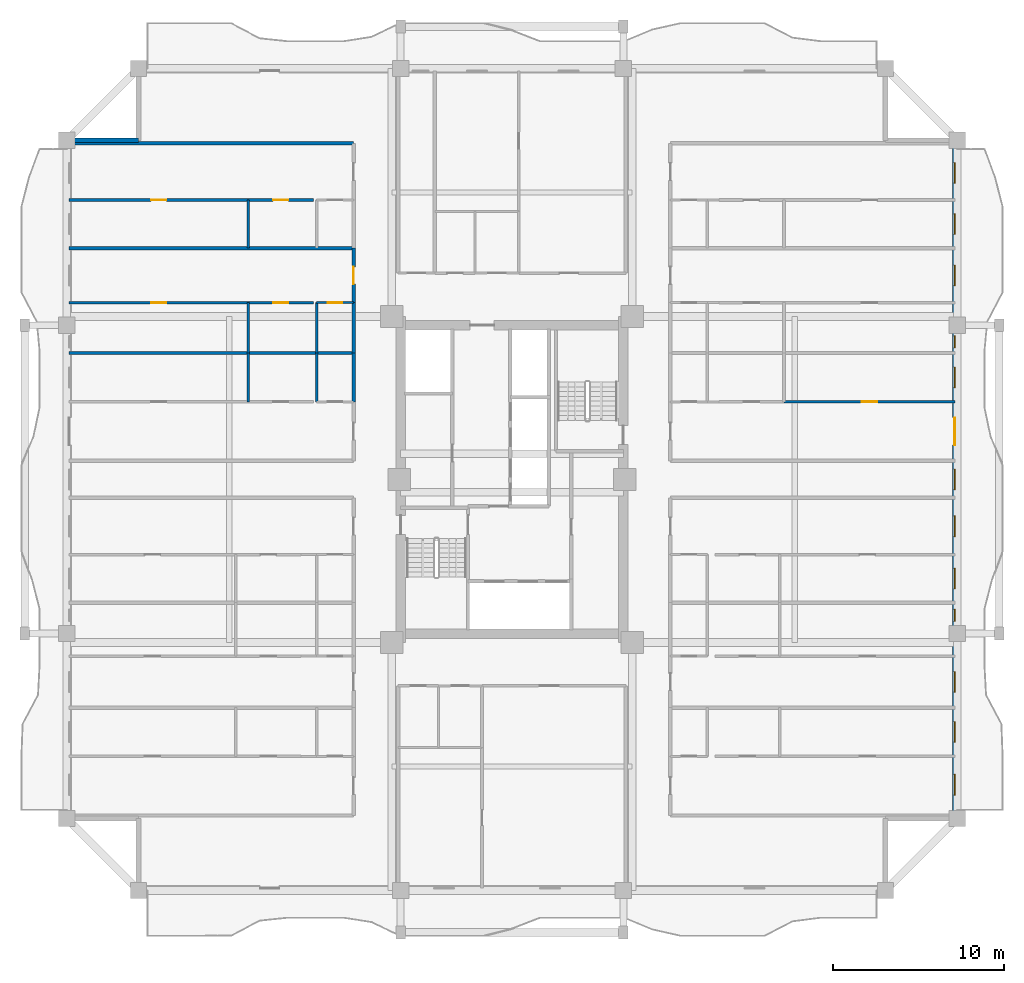
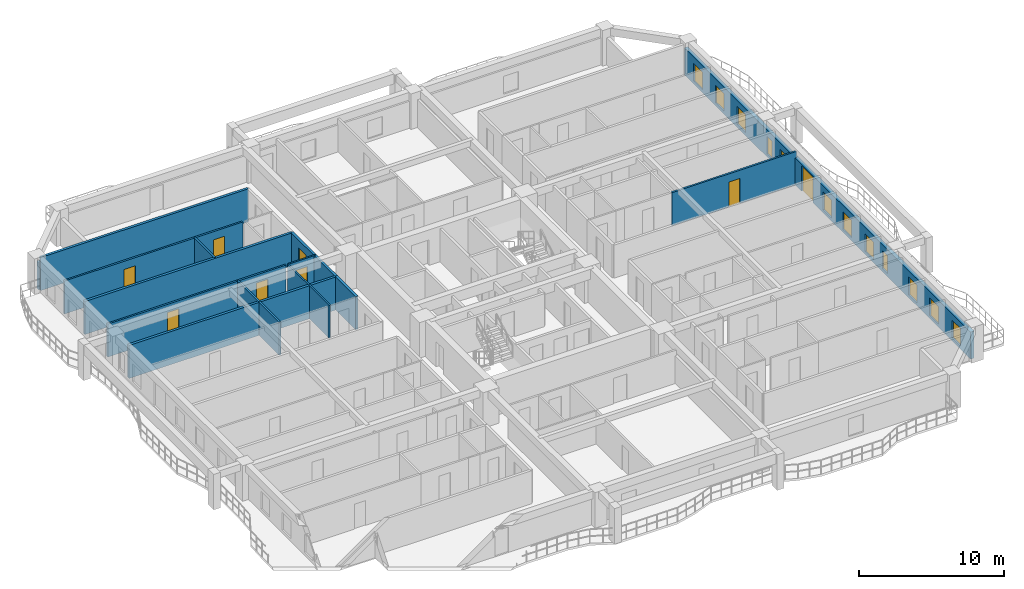
# One storey, part 6 of 13: 19 walls, 12 windows, 8 doors, 20 openings.
"""IFC4 building model written with IfcOpenShell, lengths in metres."""

import ifcopenshell
import ifcopenshell.guid

model = None  # the IFC model being written
_history = None  # IfcOwnerHistory: only IFC2X3 demands one
_inside = {}  # id of a spatial element -> (the spatial element, [elements in it])
_under = {}  # id of a project, library or spatial element -> (it, [spatial elements below it])
_declared = {}  # id of a project -> (the project, [libraries it declares])
_typed = {}  # id of a type object -> (the type object, [elements of that type])
_made_of = {}  # id of a material, layer set ... -> (it, [elements and type objects made of it])


def new_model(schema):
    """Start an empty IFC model of exactly this schema.

    Asked for "IFC4X3", IfcOpenShell would pick the latest addendum, in which some entities
    have other attributes; the version numbers below select the first issue.
    IFC2X3 requires an IfcOwnerHistory on every rooted entity: one is made here for all.
    """
    global model, _history
    if schema == "IFC4X3":
        model = ifcopenshell.file(schema_version=(4, 3, 0, 0))
    else:
        model = ifcopenshell.file(schema=schema)
    _inside.clear()
    _under.clear()
    _declared.clear()
    _typed.clear()
    _made_of.clear()
    _history = None
    if model.schema == "IFC2X3":
        org = make("IfcOrganization", Name="unknown")
        user = make(
            "IfcPersonAndOrganization",
            ThePerson=make("IfcPerson", FamilyName="unknown"),
            TheOrganization=org,
        )
        app = make(
            "IfcApplication",
            ApplicationDeveloper=org,
            Version="unknown",
            ApplicationFullName="unknown",
            ApplicationIdentifier="unknown",
        )
        _history = make(
            "IfcOwnerHistory",
            OwningUser=user,
            OwningApplication=app,
            ChangeAction="ADDED",
            CreationDate=0,
        )
    return model


def make(cls, **values):
    """One entity of the class cls with the attributes given. An attribute that is None is left unset."""
    return model.create_entity(
        cls, **{name: value for name, value in values.items() if value is not None}
    )


def rooted(cls, **values):
    """An entity with a GlobalId (a new one), such as an element, a storey or a relation."""
    return make(cls, GlobalId=ifcopenshell.guid.new(), OwnerHistory=_history, **values)


def si_unit(unit_type, name, prefix=None):
    """IfcSIUnit, for example si_unit("LENGTHUNIT", "METRE", prefix="MILLI")."""
    return make("IfcSIUnit", UnitType=unit_type, Prefix=prefix, Name=name)


def assignment(units):
    """IfcUnitAssignment: the units of a project."""
    return None if units is None else make("IfcUnitAssignment", Units=units)


def point(xyz):
    """IfcCartesianPoint."""
    return None if xyz is None else make("IfcCartesianPoint", Coordinates=xyz)


def direction(xyz):
    """IfcDirection."""
    return None if xyz is None else make("IfcDirection", DirectionRatios=xyz)


def frame(location, z_axis=None, x_axis=None):
    """IfcAxis2Placement3D, a coordinate frame: its origin and axes. An axis left out is left unset."""
    return make(
        "IfcAxis2Placement3D",
        Location=point(location),
        Axis=direction(z_axis),
        RefDirection=direction(x_axis),
    )


def frame_2d(location, x_axis=None):
    """IfcAxis2Placement2D, a coordinate frame in the plane: its origin and x axis."""
    return make(
        "IfcAxis2Placement2D", Location=point(location), RefDirection=direction(x_axis)
    )


def origin():
    """The frame at (0, 0, 0) with its axes left unset."""
    return frame((0.0, 0.0, 0.0))


def place(relative_to, where):
    """IfcLocalPlacement: puts the frame where relative to a parent placement (None: the world)."""
    return make(
        "IfcLocalPlacement", PlacementRelTo=relative_to, RelativePlacement=where
    )


def context(
    kind, dimensions, precision=None, world=None, true_north=None, identifier=None
):
    """IfcGeometricRepresentationContext, for example the 3D "Model" context."""
    return make(
        "IfcGeometricRepresentationContext",
        ContextIdentifier=identifier,
        ContextType=kind,
        CoordinateSpaceDimension=dimensions,
        Precision=precision,
        WorldCoordinateSystem=world,
        TrueNorth=true_north,
    )


def subcontext(parent, identifier, kind, view, scale=None):
    """IfcGeometricRepresentationSubContext, for example "Body" below "Model"."""
    return make(
        "IfcGeometricRepresentationSubContext",
        ContextIdentifier=identifier,
        ContextType=kind,
        ParentContext=parent,
        TargetScale=scale,
        TargetView=view,
    )


def project(units=None, contexts=None):
    """IfcProject with its units and contexts."""
    return rooted(
        "IfcProject",
        Name="project",
        RepresentationContexts=contexts,
        UnitsInContext=assignment(units),
    )


def spatial(cls, under=None, at=None, **own):
    """A site, building, storey or space (cls), placed at a placement, below another one or the project."""
    s = rooted(cls, ObjectPlacement=at, **own)
    if under is not None:
        _under.setdefault(under.id(), (under, []))[1].append(s)
    return s


def profile(cls, at=None, kind="AREA", **sizes):
    """A parametric profile (cls). Its sizes go by their IFC names, for example OverallWidth=200.0."""
    return make(cls, ProfileType=kind, Position=at, **sizes)


def rectangle(**sizes):
    """IfcRectangleProfileDef."""
    return profile("IfcRectangleProfileDef", **sizes)


def extrude(swept, where, along, depth):
    """IfcExtrudedAreaSolid: the profile swept, set in the frame where, extruded along a direction by depth."""
    return make(
        "IfcExtrudedAreaSolid",
        SweptArea=swept,
        Position=where,
        ExtrudedDirection=direction(along),
        Depth=depth,
    )


def shape(context_of_items, identifier, shape_type, items):
    """IfcShapeRepresentation: the items that make up one representation, for example the "Body"."""
    return make(
        "IfcShapeRepresentation",
        ContextOfItems=context_of_items,
        RepresentationIdentifier=identifier,
        RepresentationType=shape_type,
        Items=items,
    )


def source(mapping_origin, context_of_items, identifier, shape_type, items):
    """IfcRepresentationMap: a shape defined once, which mapped items show again and again."""
    return make(
        "IfcRepresentationMap",
        MappingOrigin=mapping_origin,
        MappedRepresentation=shape(context_of_items, identifier, shape_type, items),
    )


def transform(
    local_origin,
    x_axis=None,
    y_axis=None,
    z_axis=None,
    scale=None,
    scale2=None,
    scale3=None,
    uniform=True,
):
    """IfcCartesianTransformationOperator3D, or its non-uniform kind. x_axis, y_axis, z_axis: its Axis1, 2, 3."""
    if uniform:
        return make(
            "IfcCartesianTransformationOperator3D",
            Axis1=direction(x_axis),
            Axis2=direction(y_axis),
            LocalOrigin=point(local_origin),
            Scale=scale,
            Axis3=direction(z_axis),
        )
    return make(
        "IfcCartesianTransformationOperator3DnonUniform",
        Axis1=direction(x_axis),
        Axis2=direction(y_axis),
        LocalOrigin=point(local_origin),
        Scale=scale,
        Axis3=direction(z_axis),
        Scale2=scale2,
        Scale3=scale3,
    )


def mapped(mapping_source, mapping_target):
    """IfcMappedItem: shows the shape of a source again, moved by a transform."""
    return make(
        "IfcMappedItem", MappingSource=mapping_source, MappingTarget=mapping_target
    )


def material(Name=None, Category=None):
    """IfcMaterial."""
    return make("IfcMaterial", Name=Name, Category=Category)


def layer(
    of_material, thickness, ventilated=None, Name=None, Category=None, Priority=None
):
    """IfcMaterialLayer: one layer of a wall or slab, of a material (None: an air gap)."""
    return make(
        "IfcMaterialLayer",
        Material=of_material,
        LayerThickness=thickness,
        IsVentilated=ventilated,
        Name=Name,
        Category=Category,
        Priority=Priority,
    )


def layer_set(layers, Name=None):
    """IfcMaterialLayerSet."""
    return make("IfcMaterialLayerSet", MaterialLayers=layers, LayerSetName=Name)


def made_of(thing, what):
    """Note that an element or type object is made of a material, layer set ...; save() writes the relation."""
    if what is not None:
        _made_of.setdefault(what.id(), (what, []))[1].append(thing)
    return thing


def type_object(cls, material=None, **own):
    """A type object (cls), such as IfcWallType, which elements share."""
    return made_of(rooted(cls, **own), material)


def element(
    cls,
    number,
    at=None,
    inside=None,
    cuts=None,
    type_object=None,
    material=None,
    context=None,
    identifier="Body",
    shape_type=None,
    held_by="IfcProductDefinitionShape",
    body=None,
    shapes=None,
    **own,
):
    """One element of the class cls, such as IfcWall. Its Tag is "e" and its number.

    at: its placement. inside: the storey or other place that contains it. cuts: it is an
    opening in that element (IfcRelVoidsElement). A single representation is given by context,
    identifier, shape_type and body (its items); several are given by shapes. held_by: the class
    of the entity that holds the representations. save() writes the other relations.
    """
    e = rooted(cls, Tag="e%d" % number, ObjectPlacement=at, **own)
    if body is not None:
        shapes = [shape(context, identifier, shape_type, body)]
    if shapes is not None:
        e.Representation = make(held_by, Representations=shapes)
    if inside is not None:
        _inside.setdefault(inside.id(), (inside, []))[1].append(e)
    if cuts is not None:
        rooted(
            "IfcRelVoidsElement", RelatingBuildingElement=cuts, RelatedOpeningElement=e
        )
    if type_object is not None:
        _typed.setdefault(type_object.id(), (type_object, []))[1].append(e)
    return made_of(e, material)


def fill(opening, filler):
    """IfcRelFillsElement: the door or window that sits in an opening."""
    return rooted(
        "IfcRelFillsElement",
        RelatingOpeningElement=opening,
        RelatedBuildingElement=filler,
    )


def aggregate(whole, parts):
    """IfcRelAggregates: a whole, such as a stair, and the parts it consists of."""
    return rooted("IfcRelAggregates", RelatingObject=whole, RelatedObjects=parts)


def save(model, path):
    """Write the relations noted so far, then the file.

    IfcRelAggregates (storeys below a building ...), IfcRelContainedInSpatialStructure (elements
    in a storey), IfcRelDefinesByType, IfcRelAssociatesMaterial and IfcRelDeclares: one each for
    every whole, place, type object, material and project.
    """
    for whole, parts in _under.values():
        aggregate(whole, parts)
    for where, things in _inside.values():
        rooted(
            "IfcRelContainedInSpatialStructure",
            RelatedElements=things,
            RelatingStructure=where,
        )
    for kind, things in _typed.values():
        rooted("IfcRelDefinesByType", RelatedObjects=things, RelatingType=kind)
    for what, things in _made_of.values():
        rooted("IfcRelAssociatesMaterial", RelatedObjects=things, RelatingMaterial=what)
    for by, libraries in _declared.values():
        rooted("IfcRelDeclares", RelatingContext=by, RelatedDefinitions=libraries)
    model.write(path)


model = new_model("IFC4")

# Units and contexts
model_context = context("Model", 3, precision=1e-05, world=origin(), true_north=direction((0.0, 1.0)))
body_context = subcontext(model_context, "Body", "Model", "MODEL_VIEW")
ifc_project = project(units=[si_unit("LENGTHUNIT", "METRE"), si_unit("AREAUNIT", "SQUARE_METRE"), si_unit("VOLUMEUNIT", "CUBIC_METRE"), si_unit("PLANEANGLEUNIT", "RADIAN"), si_unit("MASSUNIT", "GRAM", prefix="KILO")], contexts=[model_context])

# Site, building, storey
site_placement = place(None, origin())
site = spatial("IfcSite", under=ifc_project, at=site_placement, CompositionType="ELEMENT")
building_placement = place(site_placement, origin())
building = spatial("IfcBuilding", under=site, at=building_placement, Name="Saelheon Loggia Tower", CompositionType="ELEMENT")
storey_placement = place(building_placement, frame((0.0, 0.0, 92.85009765625)))
storey = spatial("IfcBuildingStorey", under=building, at=storey_placement, Name="L29", CompositionType="ELEMENT", Elevation=92.85009765625)

# Wall, openings, windows, door
ifc_material_1 = material(Name="Architectural Precast Concrete C40/50", Category="concrete")
ifc_layer_1 = layer(ifc_material_1, 0.280029296875)
ifc_layer_set_1 = layer_set([ifc_layer_1], Name="Architectural Precast Concrete C40/50")
wall_type_1 = type_object("IfcWallType", Name="Wall_Ext_Loggia_280", PredefinedType="SOLIDWALL", material=ifc_layer_set_1)
wall_1_placement = place(storey_placement, frame((63.860107421875, 7.199951171875, 0.0), z_axis=(0.0, 0.0, 1.0), x_axis=(0.0, 1.0, 0.0)))
wall_1 = element("IfcWall", 1, at=wall_1_placement, inside=storey, type_object=wall_type_1, Name="L29 East Loggia Inner Wall", PredefinedType="SOLIDWALL", context=body_context, shape_type="SweptSolid", body=[
    extrude(rectangle(XDim=39.60009765625, YDim=0.280029296875, at=frame_2d((19.800048828125, 0.0))), origin(), (0.0, 0.0, 1.0), 2.27978515625),
])
opening_1_placement = place(wall_1_placement, frame((1.374267578125, 0.0, 0.25)))
opening_1 = element("IfcOpeningElement", 2, at=opening_1_placement, cuts=wall_1, Name="Opening WN-03", PredefinedType="OPENING", context=body_context, shape_type="SweptSolid", body=[
    extrude(rectangle(XDim=1.199951171875, YDim=1.5, at=frame_2d((0.60009765625, 0.75))), frame((0.0, 0.152099609375, 0.0), z_axis=(0.0, -1.0, 0.0), x_axis=(1.0, 0.0, 0.0)), (0.0, 0.0, 1.0), 0.303955078125),
])
opening_2_placement = place(wall_1_placement, frame((4.45849609375, 0.0, 0.25)))
opening_2 = element("IfcOpeningElement", 3, at=opening_2_placement, cuts=wall_1, Name="Opening WN-03", PredefinedType="OPENING", context=body_context, shape_type="SweptSolid", body=[
    extrude(rectangle(XDim=1.199951171875, YDim=1.5, at=frame_2d((0.60009765625, 0.75))), frame((0.0, 0.152099609375, 0.0), z_axis=(0.0, -1.0, 0.0), x_axis=(1.0, 0.0, 0.0)), (0.0, 0.0, 1.0), 0.303955078125),
])
opening_3_placement = place(wall_1_placement, frame((7.3818359375, 0.0, 0.25)))
opening_3 = element("IfcOpeningElement", 4, at=opening_3_placement, cuts=wall_1, Name="Opening WN-03", PredefinedType="OPENING", context=body_context, shape_type="SweptSolid", body=[
    extrude(rectangle(XDim=1.199951171875, YDim=1.5, at=frame_2d((0.60009765625, 0.75))), frame((0.0, 0.152099609375, 0.0), z_axis=(0.0, -1.0, 0.0), x_axis=(1.0, 0.0, 0.0)), (0.0, 0.0, 1.0), 0.303955078125),
])
opening_4_placement = place(wall_1_placement, frame((11.50830078125, 0.0, 0.25)))
opening_4 = element("IfcOpeningElement", 5, at=opening_4_placement, cuts=wall_1, Name="Opening WN-06", PredefinedType="OPENING", context=body_context, shape_type="SweptSolid", body=[
    extrude(rectangle(XDim=0.699951171875, YDim=1.5, at=frame_2d((0.35009765625, 0.75))), frame((0.0, 0.152099609375, 0.0), z_axis=(0.0, -1.0, 0.0), x_axis=(1.0, 0.0, 0.0)), (0.0, 0.0, 1.0), 0.303955078125),
])
opening_5_placement = place(wall_1_placement, frame((13.408935546875, 0.0, 0.25)))
opening_5 = element("IfcOpeningElement", 6, at=opening_5_placement, cuts=wall_1, Name="Opening WN-03", PredefinedType="OPENING", context=body_context, shape_type="SweptSolid", body=[
    extrude(rectangle(XDim=1.199951171875, YDim=1.5, at=frame_2d((0.60009765625, 0.75))), frame((0.0, 0.152099609375, 0.0), z_axis=(0.0, -1.0, 0.0), x_axis=(1.0, 0.0, 0.0)), (0.0, 0.0, 1.0), 0.303955078125),
])
opening_6_placement = place(wall_1_placement, frame((16.468017578125, 0.0, 0.25)))
opening_6 = element("IfcOpeningElement", 7, at=opening_6_placement, cuts=wall_1, Name="Opening WN-03", PredefinedType="OPENING", context=body_context, shape_type="SweptSolid", body=[
    extrude(rectangle(XDim=1.199951171875, YDim=1.5, at=frame_2d((0.60009765625, 0.75))), frame((0.0, 0.152099609375, 0.0), z_axis=(0.0, -1.0, 0.0), x_axis=(1.0, 0.0, 0.0)), (0.0, 0.0, 1.0), 0.303955078125),
])
opening_7_placement = place(wall_1_placement, frame((19.199951171875, 0.0, 0.25)))
opening_7 = element("IfcOpeningElement", 8, at=opening_7_placement, cuts=wall_1, Name="Opening WN-03", PredefinedType="OPENING", context=body_context, shape_type="SweptSolid", body=[
    extrude(rectangle(XDim=1.199951171875, YDim=1.5, at=frame_2d((0.60009765625, 0.75))), frame((0.0, 0.152099609375, 0.0), z_axis=(0.0, -1.0, 0.0), x_axis=(1.0, 0.0, 0.0)), (0.0, 0.0, 1.0), 0.303955078125),
])
opening_8_placement = place(wall_1_placement, frame((23.406982421875, 0.0, 0.0), z_axis=(0.0, 0.0, 1.0), x_axis=(-1.0, 0.0, 0.0)))
opening_8 = element("IfcOpeningElement", 9, at=opening_8_placement, cuts=wall_1, Name="Opening DLG-1", PredefinedType="OPENING", context=body_context, shape_type="SweptSolid", body=[
    extrude(rectangle(XDim=1.60009765625, YDim=2.14990234375, at=frame_2d((0.800048828125, 1.074951171875))), frame((0.0, 0.152099609375, 0.0), z_axis=(0.0, -1.0, 0.0), x_axis=(1.0, 0.0, 0.0)), (0.0, 0.0, 1.0), 0.303955078125),
])
opening_9_placement = place(wall_1_placement, frame((25.15869140625, 0.0, 0.25)))
opening_9 = element("IfcOpeningElement", 10, at=opening_9_placement, cuts=wall_1, Name="Opening WN-03", PredefinedType="OPENING", context=body_context, shape_type="SweptSolid", body=[
    extrude(rectangle(XDim=1.199951171875, YDim=1.5, at=frame_2d((0.60009765625, 0.75))), frame((0.0, 0.152099609375, 0.0), z_axis=(0.0, -1.0, 0.0), x_axis=(1.0, 0.0, 0.0)), (0.0, 0.0, 1.0), 0.303955078125),
])
opening_10_placement = place(wall_1_placement, frame((27.484375, 0.0, 0.25)))
opening_10 = element("IfcOpeningElement", 11, at=opening_10_placement, cuts=wall_1, Name="Opening WN-06", PredefinedType="OPENING", context=body_context, shape_type="SweptSolid", body=[
    extrude(rectangle(XDim=0.699951171875, YDim=1.5, at=frame_2d((0.35009765625, 0.75))), frame((0.0, 0.152099609375, 0.0), z_axis=(0.0, -1.0, 0.0), x_axis=(1.0, 0.0, 0.0)), (0.0, 0.0, 1.0), 0.303955078125),
])
opening_11_placement = place(wall_1_placement, frame((31.11083984375, 0.0, 0.25)))
opening_11 = element("IfcOpeningElement", 12, at=opening_11_placement, cuts=wall_1, Name="Opening WN-03", PredefinedType="OPENING", context=body_context, shape_type="SweptSolid", body=[
    extrude(rectangle(XDim=1.199951171875, YDim=1.5, at=frame_2d((0.60009765625, 0.75))), frame((0.0, 0.152099609375, 0.0), z_axis=(0.0, -1.0, 0.0), x_axis=(1.0, 0.0, 0.0)), (0.0, 0.0, 1.0), 0.303955078125),
])
opening_12_placement = place(wall_1_placement, frame((34.10888671875, 0.0, 0.25)))
opening_12 = element("IfcOpeningElement", 13, at=opening_12_placement, cuts=wall_1, Name="Opening WN-03", PredefinedType="OPENING", context=body_context, shape_type="SweptSolid", body=[
    extrude(rectangle(XDim=1.199951171875, YDim=1.5, at=frame_2d((0.60009765625, 0.75))), frame((0.0, 0.152099609375, 0.0), z_axis=(0.0, -1.0, 0.0), x_axis=(1.0, 0.0, 0.0)), (0.0, 0.0, 1.0), 0.303955078125),
])
opening_13_placement = place(wall_1_placement, frame((37.1005859375, 0.0, 0.25)))
opening_13 = element("IfcOpeningElement", 14, at=opening_13_placement, cuts=wall_1, Name="Opening WN-03", PredefinedType="OPENING", context=body_context, shape_type="SweptSolid", body=[
    extrude(rectangle(XDim=1.199951171875, YDim=1.5, at=frame_2d((0.60009765625, 0.75))), frame((0.0, 0.152099609375, 0.0), z_axis=(0.0, -1.0, 0.0), x_axis=(1.0, 0.0, 0.0)), (0.0, 0.0, 1.0), 0.303955078125),
])
ifc_material_2 = material(Name="Thermal-Break Aluminium and Triple Low-E Glass", Category="aluminium")
window_type_1 = type_object("IfcWindowType", Name="Win_Slot_700x1500", PartitioningType="SINGLE_PANEL", PredefinedType="WINDOW", material=ifc_material_2)
shared_shape_1 = source(origin(), body_context, "Body", "SweptSolid", [
    extrude(rectangle(XDim=0.699951171875, YDim=1.5, at=frame_2d((0.35009765625, 0.75))), frame((0.0, 0.030029296875, 0.0), z_axis=(0.0, -1.0, 0.0), x_axis=(1.0, 0.0, 0.0)), (0.0, 0.0, 1.0), 0.06005859375),
])
window_1_placement = place(opening_4_placement, origin())
window_1 = element("IfcWindow", 15, at=window_1_placement, inside=storey, type_object=window_type_1, Name="L29 E Dwelling Window 4", OverallHeight=1.5, OverallWidth=0.699951171875, PartitioningType="SINGLE_PANEL", PredefinedType="WINDOW", context=body_context, shape_type="MappedRepresentation", body=[
    mapped(shared_shape_1, transform((0.0, 0.0, 0.0), scale=1.0)),
])
fill(opening_4, window_1)
window_2_placement = place(opening_10_placement, origin())
window_2 = element("IfcWindow", 16, at=window_2_placement, inside=storey, type_object=window_type_1, Name="L29 E Dwelling Window 10", OverallHeight=1.5, OverallWidth=0.699951171875, PartitioningType="SINGLE_PANEL", PredefinedType="WINDOW", context=body_context, shape_type="MappedRepresentation", body=[
    mapped(shared_shape_1, transform((0.0, 0.0, 0.0), scale=1.0)),
])
fill(opening_10, window_2)
window_type_2 = type_object("IfcWindowType", Name="Win_Bedroom_1200x1500", PartitioningType="SINGLE_PANEL", PredefinedType="WINDOW", material=ifc_material_2)
shared_shape_2 = source(origin(), body_context, "Body", "SweptSolid", [
    extrude(rectangle(XDim=1.199951171875, YDim=1.5, at=frame_2d((0.60009765625, 0.75))), frame((0.0, 0.030029296875, 0.0), z_axis=(0.0, -1.0, 0.0), x_axis=(1.0, 0.0, 0.0)), (0.0, 0.0, 1.0), 0.06005859375),
])
window_3_placement = place(opening_1_placement, origin())
window_3 = element("IfcWindow", 17, at=window_3_placement, inside=storey, type_object=window_type_2, Name="L29 E Dwelling Window 1", OverallHeight=1.5, OverallWidth=1.199951171875, PartitioningType="SINGLE_PANEL", PredefinedType="WINDOW", context=body_context, shape_type="MappedRepresentation", body=[
    mapped(shared_shape_2, transform((0.0, 0.0, 0.0), scale=1.0)),
])
fill(opening_1, window_3)
window_4_placement = place(opening_2_placement, origin())
window_4 = element("IfcWindow", 18, at=window_4_placement, inside=storey, type_object=window_type_2, Name="L29 E Dwelling Window 2", OverallHeight=1.5, OverallWidth=1.199951171875, PartitioningType="SINGLE_PANEL", PredefinedType="WINDOW", context=body_context, shape_type="MappedRepresentation", body=[
    mapped(shared_shape_2, transform((0.0, 0.0, 0.0), scale=1.0)),
])
fill(opening_2, window_4)
window_5_placement = place(opening_3_placement, origin())
window_5 = element("IfcWindow", 19, at=window_5_placement, inside=storey, type_object=window_type_2, Name="L29 E Dwelling Window 3", OverallHeight=1.5, OverallWidth=1.199951171875, PartitioningType="SINGLE_PANEL", PredefinedType="WINDOW", context=body_context, shape_type="MappedRepresentation", body=[
    mapped(shared_shape_2, transform((0.0, 0.0, 0.0), scale=1.0)),
])
fill(opening_3, window_5)
window_6_placement = place(opening_5_placement, origin())
window_6 = element("IfcWindow", 20, at=window_6_placement, inside=storey, type_object=window_type_2, Name="L29 E Dwelling Window 5", OverallHeight=1.5, OverallWidth=1.199951171875, PartitioningType="SINGLE_PANEL", PredefinedType="WINDOW", context=body_context, shape_type="MappedRepresentation", body=[
    mapped(shared_shape_2, transform((0.0, 0.0, 0.0), scale=1.0)),
])
fill(opening_5, window_6)
window_7_placement = place(opening_6_placement, origin())
window_7 = element("IfcWindow", 21, at=window_7_placement, inside=storey, type_object=window_type_2, Name="L29 E Dwelling Window 6", OverallHeight=1.5, OverallWidth=1.199951171875, PartitioningType="SINGLE_PANEL", PredefinedType="WINDOW", context=body_context, shape_type="MappedRepresentation", body=[
    mapped(shared_shape_2, transform((0.0, 0.0, 0.0), scale=1.0)),
])
fill(opening_6, window_7)
window_8_placement = place(opening_7_placement, origin())
window_8 = element("IfcWindow", 22, at=window_8_placement, inside=storey, type_object=window_type_2, Name="L29 E Dwelling Window 7", OverallHeight=1.5, OverallWidth=1.199951171875, PartitioningType="SINGLE_PANEL", PredefinedType="WINDOW", context=body_context, shape_type="MappedRepresentation", body=[
    mapped(shared_shape_2, transform((0.0, 0.0, 0.0), scale=1.0)),
])
fill(opening_7, window_8)
window_9_placement = place(opening_9_placement, origin())
window_9 = element("IfcWindow", 23, at=window_9_placement, inside=storey, type_object=window_type_2, Name="L29 E Dwelling Window 9", OverallHeight=1.5, OverallWidth=1.199951171875, PartitioningType="SINGLE_PANEL", PredefinedType="WINDOW", context=body_context, shape_type="MappedRepresentation", body=[
    mapped(shared_shape_2, transform((0.0, 0.0, 0.0), scale=1.0)),
])
fill(opening_9, window_9)
window_10_placement = place(opening_11_placement, origin())
window_10 = element("IfcWindow", 24, at=window_10_placement, inside=storey, type_object=window_type_2, Name="L29 E Dwelling Window 11", OverallHeight=1.5, OverallWidth=1.199951171875, PartitioningType="SINGLE_PANEL", PredefinedType="WINDOW", context=body_context, shape_type="MappedRepresentation", body=[
    mapped(shared_shape_2, transform((0.0, 0.0, 0.0), scale=1.0)),
])
fill(opening_11, window_10)
window_11_placement = place(opening_12_placement, origin())
window_11 = element("IfcWindow", 25, at=window_11_placement, inside=storey, type_object=window_type_2, Name="L29 E Dwelling Window 12", OverallHeight=1.5, OverallWidth=1.199951171875, PartitioningType="SINGLE_PANEL", PredefinedType="WINDOW", context=body_context, shape_type="MappedRepresentation", body=[
    mapped(shared_shape_2, transform((0.0, 0.0, 0.0), scale=1.0)),
])
fill(opening_12, window_11)
window_12_placement = place(opening_13_placement, origin())
window_12 = element("IfcWindow", 26, at=window_12_placement, inside=storey, type_object=window_type_2, Name="L29 E Dwelling Window 13", OverallHeight=1.5, OverallWidth=1.199951171875, PartitioningType="SINGLE_PANEL", PredefinedType="WINDOW", context=body_context, shape_type="MappedRepresentation", body=[
    mapped(shared_shape_2, transform((0.0, 0.0, 0.0), scale=1.0)),
])
fill(opening_13, window_12)
ifc_material_3 = material(Name="Thermal-Break Aluminium Sliding Glazed Door", Category="aluminium")
door_type_1 = type_object("IfcDoorType", Name="Door_LoggiaSlide_1600", OperationType="SLIDING_TO_LEFT", PredefinedType="DOOR", material=ifc_material_3)
shared_shape_3 = source(origin(), body_context, "Body", "SweptSolid", [
    extrude(rectangle(XDim=1.60009765625, YDim=2.14990234375, at=frame_2d((0.800048828125, 1.074951171875))), frame((0.0, 0.02490234375, 0.0), z_axis=(0.0, -1.0, 0.0), x_axis=(1.0, 0.0, 0.0)), (0.0, 0.0, 1.0), 0.050048828125),
])
door_1_placement = place(opening_8_placement, origin())
door_1 = element("IfcDoor", 27, at=door_1_placement, inside=storey, type_object=door_type_1, Name="L29 E Loggia Access Door", OperationType="SLIDING_TO_LEFT", OverallHeight=2.14990234375, OverallWidth=1.60009765625, PredefinedType="DOOR", context=body_context, shape_type="MappedRepresentation", body=[
    mapped(shared_shape_3, transform((0.0, 0.0, 0.0), scale=1.0)),
])
fill(opening_8, door_1)

# Walls
wall_2_placement = place(storey_placement, frame((12.080078125, 46.800048828125, 0.0), z_axis=(0.0, 0.0, 1.0), x_axis=(1.0, 0.0, 0.0)))
element("IfcWall", 28, at=wall_2_placement, inside=storey, type_object=wall_type_1, Name="L29 Corner Notch Precast Wall NW2", PredefinedType="SOLIDWALL", context=body_context, shape_type="SweptSolid", body=[
    extrude(rectangle(XDim=4.119873046875, YDim=0.280029296875, at=frame_2d((2.06005859375, 0.0))), origin(), (0.0, 0.0, 1.0), 2.27978515625),
])
ifc_material_4 = material(Name="Lightweight Autoclaved Aerated Concrete Block and Acoustic Gypsum", Category="concrete")
ifc_layer_2 = layer(ifc_material_4, 0.14990234375)
ifc_layer_set_2 = layer_set([ifc_layer_2], Name="Lightweight Autoclaved Aerated Concrete Block and Acoustic Gypsum")
wall_type_2 = type_object("IfcWallType", Name="Wall_Part_150", PredefinedType="PARTITIONING", material=ifc_layer_set_2)
wall_3_placement = place(storey_placement, frame((22.60009765625, 31.53369140625, 0.0), z_axis=(0.0, 0.0, 1.0), x_axis=(0.0, 1.0, 0.0)))
element("IfcWall", 29, at=wall_3_placement, inside=storey, type_object=wall_type_2, Name="L29 WN Partition V07", PredefinedType="PARTITIONING", context=body_context, shape_type="SweptSolid", body=[
    extrude(rectangle(XDim=2.849853515625, YDim=0.14990234375, at=frame_2d((1.4248046875, 0.0))), origin(), (0.0, 0.0, 1.0), 2.789794921875),
])
wall_4_placement = place(storey_placement, frame((22.60009765625, 34.383544921875, 0.0), z_axis=(0.0, 0.0, 1.0), x_axis=(0.0, 1.0, 0.0)))
element("IfcWall", 30, at=wall_4_placement, inside=storey, type_object=wall_type_2, Name="L29 WN Partition V15", PredefinedType="PARTITIONING", context=body_context, shape_type="SweptSolid", body=[
    extrude(rectangle(XDim=2.9365234375, YDim=0.14990234375, at=frame_2d((1.46826171875, 0.0))), origin(), (0.0, 0.0, 1.0), 2.789794921875),
])

# Wall, opening, door
wall_5_placement = place(storey_placement, frame((26.39990234375, 37.320068359375, 0.0), z_axis=(0.0, 0.0, 1.0), x_axis=(-1.0, 0.0, 0.0)))
wall_5 = element("IfcWall", 31, at=wall_5_placement, inside=storey, type_object=wall_type_2, Name="L29 WN Partition U16", PredefinedType="PARTITIONING", context=body_context, shape_type="SweptSolid", body=[
    extrude(rectangle(XDim=3.7998046875, YDim=0.14990234375, at=frame_2d((1.89990234375, 0.0))), origin(), (0.0, 0.0, 1.0), 2.789794921875),
])
opening_14_placement = place(wall_5_placement, frame((1.449951171875, 0.0, 0.0)))
opening_14 = element("IfcOpeningElement", 32, at=opening_14_placement, cuts=wall_5, Name="Opening D-IN2", PredefinedType="OPENING", context=body_context, shape_type="SweptSolid", body=[
    extrude(rectangle(XDim=0.89990234375, YDim=2.10009765625, at=frame_2d((0.449951171875, 1.050048828125))), frame((0.0, 0.0869140625, 0.0), z_axis=(0.0, -1.0, 0.0), x_axis=(1.0, 0.0, 0.0)), (0.0, 0.0, 1.0), 0.173828125),
])
ifc_material_5 = material(Name="Engineered Oak Flush Door", Category="timber")
door_type_2 = type_object("IfcDoorType", Name="Door_Int_900", OperationType="NOTDEFINED", PredefinedType="DOOR", material=ifc_material_5)
shared_shape_4 = source(origin(), body_context, "Body", "SweptSolid", [
    extrude(rectangle(XDim=0.89990234375, YDim=2.10009765625, at=frame_2d((0.449951171875, 1.050048828125))), frame((0.0, 0.02490234375, 0.0), z_axis=(0.0, -1.0, 0.0), x_axis=(1.0, 0.0, 0.0)), (0.0, 0.0, 1.0), 0.050048828125),
])
door_2_placement = place(opening_14_placement, origin())
door_2 = element("IfcDoor", 33, at=door_2_placement, inside=storey, type_object=door_type_2, Name="Unit U05 Kitchen Door", OperationType="SINGLE_SWING_RIGHT", OverallHeight=2.10009765625, OverallWidth=0.89990234375, PredefinedType="DOOR", context=body_context, shape_type="MappedRepresentation", body=[
    mapped(shared_shape_4, transform((0.0, 0.0, 0.0), scale=1.0)),
])
fill(opening_14, door_2)

wall_6_placement = place(storey_placement, frame((22.60009765625, 37.320068359375, 0.0), z_axis=(0.0, 0.0, 1.0), x_axis=(-1.0, 0.0, 0.0)))
wall_6 = element("IfcWall", 34, at=wall_6_placement, inside=storey, type_object=wall_type_2, Name="L29 WN Partition U17", PredefinedType="PARTITIONING", context=body_context, shape_type="SweptSolid", body=[
    extrude(rectangle(XDim=10.4501953125, YDim=0.14990234375, at=frame_2d((5.22509765625, 0.0))), origin(), (0.0, 0.0, 1.0), 2.789794921875),
])
opening_15_placement = place(wall_6_placement, frame((4.77490234375, 0.0, 0.0)))
opening_15 = element("IfcOpeningElement", 35, at=opening_15_placement, cuts=wall_6, Name="Opening D-IN2", PredefinedType="OPENING", context=body_context, shape_type="SweptSolid", body=[
    extrude(rectangle(XDim=0.89990234375, YDim=2.10009765625, at=frame_2d((0.449951171875, 1.050048828125))), frame((0.0, 0.0869140625, 0.0), z_axis=(0.0, -1.0, 0.0), x_axis=(1.0, 0.0, 0.0)), (0.0, 0.0, 1.0), 0.173828125),
])
door_3_placement = place(opening_15_placement, origin())
door_3 = element("IfcDoor", 36, at=door_3_placement, inside=storey, type_object=door_type_2, Name="Unit U05 Bedroom 1 Door", OperationType="SINGLE_SWING_LEFT", OverallHeight=2.10009765625, OverallWidth=0.89990234375, PredefinedType="DOOR", context=body_context, shape_type="MappedRepresentation", body=[
    mapped(shared_shape_4, transform((0.0, 0.0, 0.0), scale=1.0)),
])
fill(opening_15, door_3)

# Wall
wall_7_placement = place(storey_placement, frame((22.60009765625, 40.501708984375, 0.0), z_axis=(0.0, 0.0, 1.0), x_axis=(0.0, 1.0, 0.0)))
element("IfcWall", 37, at=wall_7_placement, inside=storey, type_object=wall_type_2, Name="L29 WN Partition V23", PredefinedType="PARTITIONING", context=body_context, shape_type="SweptSolid", body=[
    extrude(rectangle(XDim=2.814453125, YDim=0.14990234375, at=frame_2d((1.4072265625, 0.0))), origin(), (0.0, 0.0, 1.0), 2.789794921875),
])

# Wall, opening, door
wall_8_placement = place(storey_placement, frame((26.39990234375, 43.316162109375, 0.0), z_axis=(0.0, 0.0, 1.0), x_axis=(-1.0, 0.0, 0.0)))
wall_8 = element("IfcWall", 38, at=wall_8_placement, inside=storey, type_object=wall_type_2, Name="L29 WN Partition U24", PredefinedType="PARTITIONING", context=body_context, shape_type="SweptSolid", body=[
    extrude(rectangle(XDim=3.7998046875, YDim=0.14990234375, at=frame_2d((1.89990234375, 0.0))), origin(), (0.0, 0.0, 1.0), 2.789794921875),
])
opening_16_placement = place(wall_8_placement, frame((1.449951171875, 0.0, 0.0)))
opening_16 = element("IfcOpeningElement", 39, at=opening_16_placement, cuts=wall_8, Name="Opening D-IN2", PredefinedType="OPENING", context=body_context, shape_type="SweptSolid", body=[
    extrude(rectangle(XDim=0.89990234375, YDim=2.10009765625, at=frame_2d((0.449951171875, 1.050048828125))), frame((0.0, 0.0869140625, 0.0), z_axis=(0.0, -1.0, 0.0), x_axis=(1.0, 0.0, 0.0)), (0.0, 0.0, 1.0), 0.173828125),
])
door_4_placement = place(opening_16_placement, origin())
door_4 = element("IfcDoor", 40, at=door_4_placement, inside=storey, type_object=door_type_2, Name="Unit U06 Kitchen Door", OperationType="SINGLE_SWING_RIGHT", OverallHeight=2.10009765625, OverallWidth=0.89990234375, PredefinedType="DOOR", context=body_context, shape_type="MappedRepresentation", body=[
    mapped(shared_shape_4, transform((0.0, 0.0, 0.0), scale=1.0)),
])
fill(opening_16, door_4)

wall_9_placement = place(storey_placement, frame((22.60009765625, 43.316162109375, 0.0), z_axis=(0.0, 0.0, 1.0), x_axis=(-1.0, 0.0, 0.0)))
wall_9 = element("IfcWall", 41, at=wall_9_placement, inside=storey, type_object=wall_type_2, Name="L29 WN Partition U25", PredefinedType="PARTITIONING", context=body_context, shape_type="SweptSolid", body=[
    extrude(rectangle(XDim=10.4501953125, YDim=0.14990234375, at=frame_2d((5.22509765625, 0.0))), origin(), (0.0, 0.0, 1.0), 2.789794921875),
])
opening_17_placement = place(wall_9_placement, frame((4.77490234375, 0.0, 0.0)))
opening_17 = element("IfcOpeningElement", 42, at=opening_17_placement, cuts=wall_9, Name="Opening D-IN2", PredefinedType="OPENING", context=body_context, shape_type="SweptSolid", body=[
    extrude(rectangle(XDim=0.89990234375, YDim=2.10009765625, at=frame_2d((0.449951171875, 1.050048828125))), frame((0.0, 0.0869140625, 0.0), z_axis=(0.0, -1.0, 0.0), x_axis=(1.0, 0.0, 0.0)), (0.0, 0.0, 1.0), 0.173828125),
])
door_5_placement = place(opening_17_placement, origin())
door_5 = element("IfcDoor", 43, at=door_5_placement, inside=storey, type_object=door_type_2, Name="Unit U06 Bedroom 1 Door", OperationType="SINGLE_SWING_LEFT", OverallHeight=2.10009765625, OverallWidth=0.89990234375, PredefinedType="DOOR", context=body_context, shape_type="MappedRepresentation", body=[
    mapped(shared_shape_4, transform((0.0, 0.0, 0.0), scale=1.0)),
])
fill(opening_17, door_5)

wall_10_placement = place(storey_placement, frame((53.8798828125, 31.53369140625, 0.0), z_axis=(0.0, 0.0, 1.0), x_axis=(1.0, 0.0, 0.0)))
wall_10 = element("IfcWall", 44, at=wall_10_placement, inside=storey, type_object=wall_type_2, Name="L29 EN Partition U10", PredefinedType="PARTITIONING", context=body_context, shape_type="SweptSolid", body=[
    extrude(rectangle(XDim=9.97021484375, YDim=0.14990234375, at=frame_2d((4.985107421875, 0.0))), origin(), (0.0, 0.0, 1.0), 2.789794921875),
])
opening_18_placement = place(wall_10_placement, frame((4.534912109375, 0.0, 0.0)))
opening_18 = element("IfcOpeningElement", 45, at=opening_18_placement, cuts=wall_10, Name="Opening D-IN2", PredefinedType="OPENING", context=body_context, shape_type="SweptSolid", body=[
    extrude(rectangle(XDim=0.89990234375, YDim=2.10009765625, at=frame_2d((0.449951171875, 1.050048828125))), frame((0.0, 0.0869140625, 0.0), z_axis=(0.0, -1.0, 0.0), x_axis=(1.0, 0.0, 0.0)), (0.0, 0.0, 1.0), 0.173828125),
])
door_6_placement = place(opening_18_placement, origin())
door_6 = element("IfcDoor", 46, at=door_6_placement, inside=storey, type_object=door_type_2, Name="Unit U10 Bedroom 1 Door", OperationType="SINGLE_SWING_LEFT", OverallHeight=2.10009765625, OverallWidth=0.89990234375, PredefinedType="DOOR", context=body_context, shape_type="MappedRepresentation", body=[
    mapped(shared_shape_4, transform((0.0, 0.0, 0.0), scale=1.0)),
])
fill(opening_18, door_6)

# Walls
ifc_material_6 = material(Name="Double Acoustic Stud and Fireboard Partition", Category="gypsum")
ifc_layer_3 = layer(ifc_material_6, 0.199951171875)
ifc_layer_set_3 = layer_set([ifc_layer_3], Name="Double Acoustic Stud and Fireboard Partition")
wall_type_3 = type_object("IfcWallType", Name="Wall_Party_200", PredefinedType="PARTITIONING", material=ifc_layer_set_3)
wall_11_placement = place(storey_placement, frame((28.75, 46.6201171875, 0.0), z_axis=(0.0, 0.0, 1.0), x_axis=(-1.0, 0.0, 0.0)))
element("IfcWall", 47, at=wall_11_placement, inside=storey, type_object=wall_type_3, Name="L29 WN Partition U02", PredefinedType="PARTITIONING", context=body_context, shape_type="SweptSolid", body=[
    extrude(rectangle(XDim=16.60009765625, YDim=0.199951171875, at=frame_2d((8.300048828125, 0.0))), origin(), (0.0, 0.0, 1.0), 2.789794921875),
])
wall_12_placement = place(storey_placement, frame((28.75, 31.53369140625, 0.0), z_axis=(0.0, 0.0, 1.0), x_axis=(0.0, 1.0, 0.0)))
element("IfcWall", 48, at=wall_12_placement, inside=storey, type_object=wall_type_3, Name="L29 WN Partition V04", PredefinedType="PARTITIONING", context=body_context, shape_type="SweptSolid", body=[
    extrude(rectangle(XDim=2.849853515625, YDim=0.199951171875, at=frame_2d((1.4248046875, 0.0))), origin(), (0.0, 0.0, 1.0), 2.789794921875),
])
wall_13_placement = place(storey_placement, frame((28.75, 34.383544921875, 0.0), z_axis=(0.0, 0.0, 1.0), x_axis=(-1.0, 0.0, 0.0)))
element("IfcWall", 49, at=wall_13_placement, inside=storey, type_object=wall_type_3, Name="L29 WN Partition U10", PredefinedType="PARTITIONING", context=body_context, shape_type="SweptSolid", body=[
    extrude(rectangle(XDim=16.60009765625, YDim=0.199951171875, at=frame_2d((8.300048828125, 0.0))), origin(), (0.0, 0.0, 1.0), 2.789794921875),
])
wall_14_placement = place(storey_placement, frame((28.75, 34.383544921875, 0.0), z_axis=(0.0, 0.0, 1.0), x_axis=(0.0, 1.0, 0.0)))
element("IfcWall", 50, at=wall_14_placement, inside=storey, type_object=wall_type_3, Name="L29 WN Partition V11", PredefinedType="PARTITIONING", context=body_context, shape_type="SweptSolid", body=[
    extrude(rectangle(XDim=2.9365234375, YDim=0.199951171875, at=frame_2d((1.46826171875, 0.0))), origin(), (0.0, 0.0, 1.0), 2.789794921875),
])

# Wall, opening, door
wall_15_placement = place(storey_placement, frame((28.75, 37.320068359375, 0.0), z_axis=(0.0, 0.0, 1.0), x_axis=(0.0, 1.0, 0.0)))
wall_15 = element("IfcWall", 51, at=wall_15_placement, inside=storey, type_object=wall_type_3, Name="L29 WN Partition V12", PredefinedType="PARTITIONING", context=body_context, shape_type="SweptSolid", body=[
    extrude(rectangle(XDim=3.181640625, YDim=0.199951171875, at=frame_2d((1.5908203125, 0.0))), origin(), (0.0, 0.0, 1.0), 2.789794921875),
])
opening_19_placement = place(wall_15_placement, frame((1.0908203125, 0.0, 0.0)))
opening_19 = element("IfcOpeningElement", 52, at=opening_19_placement, cuts=wall_15, Name="Opening D-FD1", PredefinedType="OPENING", context=body_context, shape_type="SweptSolid", body=[
    extrude(rectangle(XDim=1.0, YDim=2.14990234375, at=frame_2d((0.5, 1.074951171875))), frame((0.0, 0.112060546875, 0.0), z_axis=(0.0, -1.0, 0.0), x_axis=(1.0, 0.0, 0.0)), (0.0, 0.0, 1.0), 0.223876953125),
])
ifc_material_7 = material(Name="Fire-Rated Engineered Timber Entrance Door", Category="wood")
door_type_3 = type_object("IfcDoorType", Name="Door_Flat_FD30S", OperationType="NOTDEFINED", PredefinedType="DOOR", material=ifc_material_7)
shared_shape_5 = source(origin(), body_context, "Body", "SweptSolid", [
    extrude(rectangle(XDim=1.0, YDim=2.14990234375, at=frame_2d((0.5, 1.074951171875))), frame((0.0, 0.02490234375, 0.0), z_axis=(0.0, -1.0, 0.0), x_axis=(1.0, 0.0, 0.0)), (0.0, 0.0, 1.0), 0.050048828125),
])
door_7_placement = place(opening_19_placement, origin())
door_7 = element("IfcDoor", 53, at=door_7_placement, inside=storey, type_object=door_type_3, Name="Unit U05 Entrance Door", OperationType="SINGLE_SWING_RIGHT", OverallHeight=2.14990234375, OverallWidth=1.0, PredefinedType="DOOR", context=body_context, shape_type="MappedRepresentation", body=[
    mapped(shared_shape_5, transform((0.0, 0.0, 0.0), scale=1.0)),
])
fill(opening_19, door_7)

# Walls
wall_16_placement = place(storey_placement, frame((28.75, 40.501708984375, 0.0), z_axis=(0.0, 0.0, 1.0), x_axis=(-1.0, 0.0, 0.0)))
element("IfcWall", 54, at=wall_16_placement, inside=storey, type_object=wall_type_3, Name="L29 WN Partition U18", PredefinedType="PARTITIONING", context=body_context, shape_type="SweptSolid", body=[
    extrude(rectangle(XDim=16.60009765625, YDim=0.199951171875, at=frame_2d((8.300048828125, 0.0))), origin(), (0.0, 0.0, 1.0), 2.789794921875),
])
ifc_material_8 = material(Name="Moisture-Resistant Cement Board Partition", Category="gypsum")
ifc_layer_4 = layer(ifc_material_8, 0.1201171875)
ifc_layer_set_4 = layer_set([ifc_layer_4], Name="Moisture-Resistant Cement Board Partition")
wall_type_4 = type_object("IfcWallType", Name="Wall_WetPart_120", PredefinedType="PARTITIONING", material=ifc_layer_set_4)
wall_17_placement = place(storey_placement, frame((26.60009765625, 31.53369140625, 0.0), z_axis=(0.0, 0.0, 1.0), x_axis=(0.0, 1.0, 0.0)))
element("IfcWall", 55, at=wall_17_placement, inside=storey, type_object=wall_type_4, Name="L29 WN Partition V06", PredefinedType="PARTITIONING", context=body_context, shape_type="SweptSolid", body=[
    extrude(rectangle(XDim=2.849853515625, YDim=0.1201171875, at=frame_2d((1.4248046875, 0.0))), origin(), (0.0, 0.0, 1.0), 2.789794921875),
])

# Wall, opening, door
wall_18_placement = place(storey_placement, frame((28.75, 37.320068359375, 0.0), z_axis=(0.0, 0.0, 1.0), x_axis=(-1.0, 0.0, 0.0)))
wall_18 = element("IfcWall", 56, at=wall_18_placement, inside=storey, type_object=wall_type_4, Name="L29 WN Partition U13", PredefinedType="PARTITIONING", context=body_context, shape_type="SweptSolid", body=[
    extrude(rectangle(XDim=2.14990234375, YDim=0.1201171875, at=frame_2d((1.074951171875, 0.0))), origin(), (0.0, 0.0, 1.0), 2.789794921875),
])
opening_20_placement = place(wall_18_placement, frame((0.64990234375, 0.0, 0.0)))
opening_20 = element("IfcOpeningElement", 57, at=opening_20_placement, cuts=wall_18, Name="Opening D-BT1", PredefinedType="OPENING", context=body_context, shape_type="SweptSolid", body=[
    extrude(rectangle(XDim=0.85009765625, YDim=2.050048828125, at=frame_2d((0.425048828125, 1.02490234375))), frame((0.0, 0.072021484375, 0.0), z_axis=(0.0, -1.0, 0.0), x_axis=(1.0, 0.0, 0.0)), (0.0, 0.0, 1.0), 0.14404296875),
])
ifc_material_9 = material(Name="Moisture-Resistant Laminate Timber Door", Category="wood")
door_type_4 = type_object("IfcDoorType", Name="Door_Bath_850", OperationType="NOTDEFINED", PredefinedType="DOOR", material=ifc_material_9)
shared_shape_6 = source(origin(), body_context, "Body", "SweptSolid", [
    extrude(rectangle(XDim=0.85009765625, YDim=2.050048828125, at=frame_2d((0.425048828125, 1.02490234375))), frame((0.0, 0.02490234375, 0.0), z_axis=(0.0, -1.0, 0.0), x_axis=(1.0, 0.0, 0.0)), (0.0, 0.0, 1.0), 0.050048828125),
])
door_8_placement = place(opening_20_placement, origin())
door_8 = element("IfcDoor", 58, at=door_8_placement, inside=storey, type_object=door_type_4, Name="Unit U05 Bathroom Door", OperationType="SINGLE_SWING_LEFT", OverallHeight=2.050048828125, OverallWidth=0.85009765625, PredefinedType="DOOR", context=body_context, shape_type="MappedRepresentation", body=[
    mapped(shared_shape_6, transform((0.0, 0.0, 0.0), scale=1.0)),
])
fill(opening_20, door_8)

# Wall
wall_19_placement = place(storey_placement, frame((26.60009765625, 34.383544921875, 0.0), z_axis=(0.0, 0.0, 1.0), x_axis=(0.0, 1.0, 0.0)))
element("IfcWall", 59, at=wall_19_placement, inside=storey, type_object=wall_type_4, Name="L29 WN Partition V14", PredefinedType="PARTITIONING", context=body_context, shape_type="SweptSolid", body=[
    extrude(rectangle(XDim=2.9365234375, YDim=0.1201171875, at=frame_2d((1.46826171875, 0.0))), origin(), (0.0, 0.0, 1.0), 2.789794921875),
])

save(model, "model.ifc")
